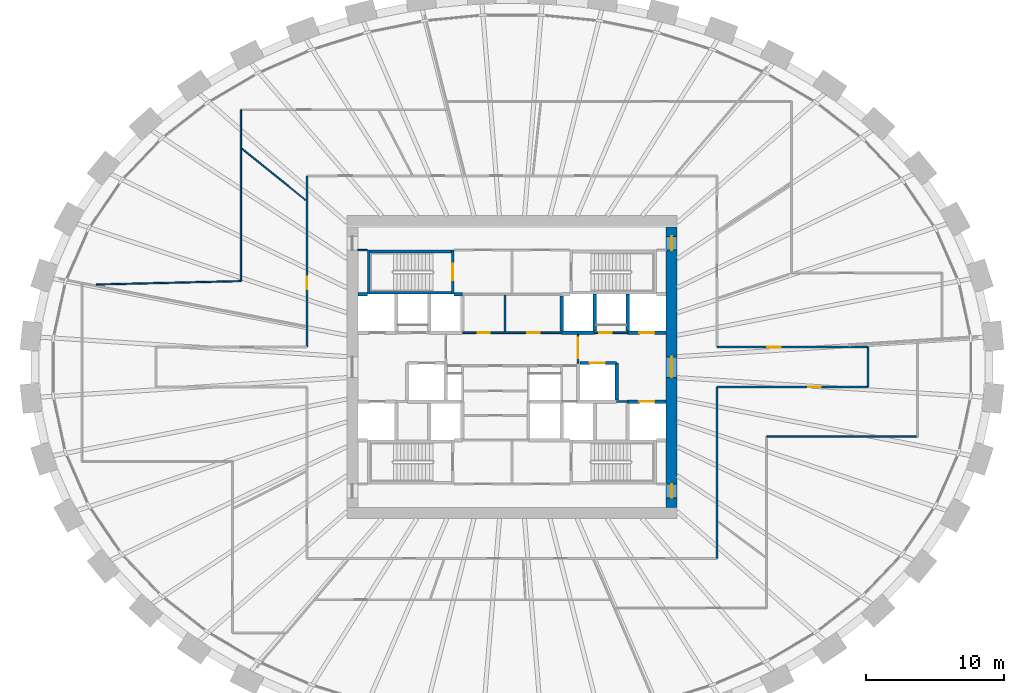
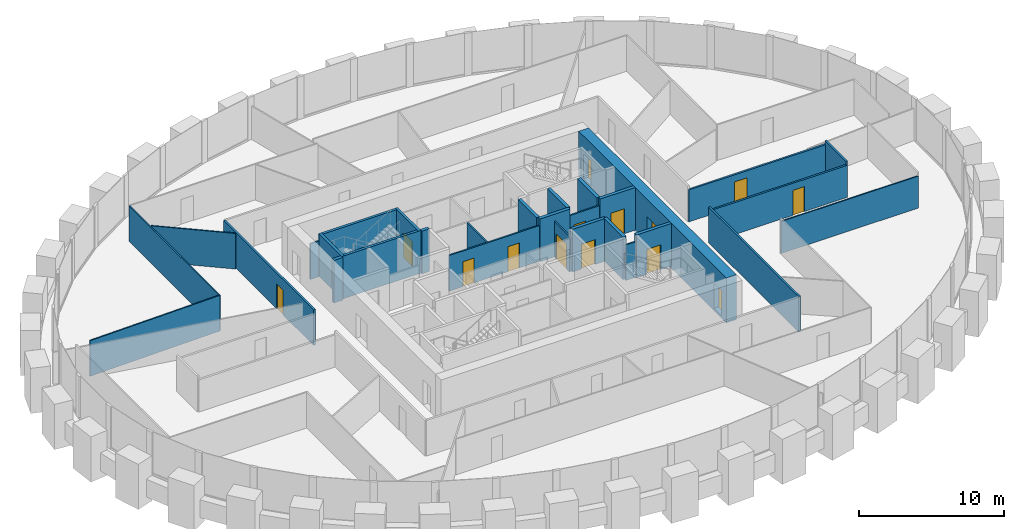
# One storey, part 8 of 11: 30 walls, 14 doors, 14 openings.
"""IFC4 building model written with IfcOpenShell, lengths in metres."""

from ifc_helpers import new_model, si_unit, direction, frame, frame_2d, origin, place, context, subcontext, project, spatial, rectangle, extrude, source, transform, mapped, material, layer, layer_set, type_object, element, fill, save


model = new_model("IFC4")

# Units and contexts
model_context = context("Model", 3, precision=1e-05, world=origin(), true_north=direction((0.0, 1.0)))
body_context = subcontext(model_context, "Body", "Model", "MODEL_VIEW")
ifc_project = project(units=[si_unit("LENGTHUNIT", "METRE"), si_unit("AREAUNIT", "SQUARE_METRE"), si_unit("VOLUMEUNIT", "CUBIC_METRE"), si_unit("PLANEANGLEUNIT", "RADIAN"), si_unit("MASSUNIT", "GRAM", prefix="KILO")], contexts=[model_context])

# Site, building, storey
site_placement = place(None, origin())
site = spatial("IfcSite", under=ifc_project, at=site_placement, CompositionType="ELEMENT")
building_placement = place(site_placement, origin())
building = spatial("IfcBuilding", under=site, at=building_placement, Name="Embergate Tower", CompositionType="ELEMENT")
storey_placement = place(building_placement, frame((0.0, 0.0, 230.699951171875)))
storey = spatial("IfcBuildingStorey", under=building, at=storey_placement, Name="L53", CompositionType="ELEMENT", Elevation=230.699951171875)

# Wall, openings, doors
ifc_material_1 = material(Name="Concrete C70", Category="concrete")
ifc_layer_1 = layer(ifc_material_1, 0.800048828125)
ifc_layer_set_1 = layer_set([ifc_layer_1], Name="Concrete C70")
wall_type_1 = type_object("IfcWallType", Name="Core outer wall C70 800", PredefinedType="SHEAR", material=ifc_layer_set_1)
shared_shape_1 = source(origin(), body_context, "Body", "SweptSolid", [
    extrude(rectangle(XDim=20.39990234375, YDim=0.800048828125, at=frame_2d((10.199951171875, 0.0))), origin(), (0.0, 0.0, 1.0), 3.800048828125),
])
wall_1_placement = place(storey_placement, frame((11.60009765625, -10.199951171875, -0.199951171875), z_axis=(0.0, 0.0, 1.0), x_axis=(0.0, 1.0, 0.0)))
wall_1 = element("IfcWall", 1, at=wall_1_placement, inside=storey, type_object=wall_type_1, Name="CW-L53-E", PredefinedType="SHEAR", context=body_context, shape_type="MappedRepresentation", body=[
    mapped(shared_shape_1, transform((0.0, 0.0, 0.0))),
])
shared_shape_2 = source(origin(), body_context, "Body", "SweptSolid", [
    extrude(rectangle(XDim=1.0, YDim=2.10009765625, at=frame_2d((0.5, 1.050048828125))), frame((0.0, 0.409912109375, 0.0), z_axis=(0.0, -1.0, 0.0), x_axis=(1.0, 0.0, 0.0)), (0.0, 0.0, 1.0), 0.820068359375),
])
opening_1_placement = place(wall_1_placement, frame((18.699951171875, 0.0, 0.199951171875)))
opening_1 = element("IfcOpeningElement", 2, at=opening_1_placement, cuts=wall_1, Name="Opening IF-1d", PredefinedType="OPENING", context=body_context, shape_type="MappedRepresentation", body=[
    mapped(shared_shape_2, transform((0.0, 0.0, 0.0))),
])
opening_2_placement = place(wall_1_placement, frame((0.699951171875, 0.0, 0.199951171875)))
opening_2 = element("IfcOpeningElement", 3, at=opening_2_placement, cuts=wall_1, Name="Opening IF-1d", PredefinedType="OPENING", context=body_context, shape_type="MappedRepresentation", body=[
    mapped(shared_shape_2, transform((0.0, 0.0, 0.0))),
])
shared_shape_3 = source(origin(), body_context, "Body", "SweptSolid", [
    extrude(rectangle(XDim=1.5, YDim=2.10009765625, at=frame_2d((0.75, 1.050048828125))), frame((0.0, 0.409912109375, 0.0), z_axis=(0.0, -1.0, 0.0), x_axis=(1.0, 0.0, 0.0)), (0.0, 0.0, 1.0), 0.820068359375),
])
opening_3_placement = place(wall_1_placement, frame((9.449951171875, 0.0, 0.199951171875)))
opening_3 = element("IfcOpeningElement", 4, at=opening_3_placement, cuts=wall_1, Name="Opening IF-3", PredefinedType="OPENING", context=body_context, shape_type="MappedRepresentation", body=[
    mapped(shared_shape_3, transform((0.0, 0.0, 0.0))),
])
ifc_material_2 = material(Name="Lobby fire door pair 1500")
door_type_1 = type_object("IfcDoorType", Name="Lobby fire door pair 1500", OperationType="DOUBLE_DOOR_SINGLE_SWING", PredefinedType="DOOR", material=ifc_material_2)
shared_shape_4 = source(origin(), body_context, "Body", "SweptSolid", [
    extrude(rectangle(XDim=1.5, YDim=2.10009765625, at=frame_2d((0.75, 1.050048828125))), frame((0.0, 0.02490234375, 0.0), z_axis=(0.0, -1.0, 0.0), x_axis=(1.0, 0.0, 0.0)), (0.0, 0.0, 1.0), 0.050048828125),
])
door_1_placement = place(opening_3_placement, origin())
door_1 = element("IfcDoor", 5, at=door_1_placement, inside=storey, type_object=door_type_1, Name="IF-3 door", OperationType="DOUBLE_DOOR_SINGLE_SWING", OverallHeight=2.10009765625, OverallWidth=1.5, PredefinedType="DOOR", context=body_context, shape_type="MappedRepresentation", body=[
    mapped(shared_shape_4, transform((0.0, 0.0, 0.0))),
])
fill(opening_3, door_1)
ifc_material_3 = material(Name="Escape fire door 1000")
door_type_2 = type_object("IfcDoorType", Name="Escape fire door 1000", OperationType="SINGLE_SWING_LEFT", PredefinedType="DOOR", material=ifc_material_3)
shared_shape_5 = source(origin(), body_context, "Body", "SweptSolid", [
    extrude(rectangle(XDim=1.0, YDim=2.10009765625, at=frame_2d((0.5, 1.050048828125))), frame((0.0, 0.02490234375, 0.0), z_axis=(0.0, -1.0, 0.0), x_axis=(1.0, 0.0, 0.0)), (0.0, 0.0, 1.0), 0.050048828125),
])
door_2_placement = place(opening_1_placement, origin())
door_2 = element("IfcDoor", 6, at=door_2_placement, inside=storey, type_object=door_type_2, Name="IF-1 door", OperationType="SINGLE_SWING_RIGHT", OverallHeight=2.10009765625, OverallWidth=1.0, PredefinedType="DOOR", context=body_context, shape_type="MappedRepresentation", body=[
    mapped(shared_shape_5, transform((0.0, 0.0, 0.0))),
])
fill(opening_1, door_2)
door_3_placement = place(opening_2_placement, origin())
door_3 = element("IfcDoor", 7, at=door_3_placement, inside=storey, type_object=door_type_2, Name="IF-1 door", OperationType="SINGLE_SWING_RIGHT", OverallHeight=2.10009765625, OverallWidth=1.0, PredefinedType="DOOR", context=body_context, shape_type="MappedRepresentation", body=[
    mapped(shared_shape_5, transform((0.0, 0.0, 0.0))),
])
fill(opening_2, door_3)

# Walls
ifc_material_4 = material(Name="Concrete C50", Category="concrete")
ifc_layer_2 = layer(ifc_material_4, 0.25)
ifc_layer_set_2 = layer_set([ifc_layer_2], Name="Concrete C50")
wall_type_2 = type_object("IfcWallType", Name="Hoistway wall reinforced concrete 250", PredefinedType="SHEAR", material=ifc_layer_set_2)
shared_shape_6 = source(origin(), body_context, "Body", "SweptSolid", [
    extrude(rectangle(XDim=2.675048828125, YDim=0.25, at=frame_2d((1.33740234375, 0.0))), origin(), (0.0, 0.0, 1.0), 3.60009765625),
])
for number, where, z_axis, x_axis, name in (
    (8, (6.0, 2.625, 0.0), (0.0, 0.0, 1.0), (0.0, 1.0, 0.0), "HW-1 wall"),
    (9, (8.39990234375, 2.625, 0.0), (0.0, 0.0, 1.0), (0.0, 1.0, 0.0), "HW-1 wall"),
):
    element("IfcWall", number, at=place(storey_placement, frame(where, z_axis=z_axis, x_axis=x_axis)), inside=storey, type_object=wall_type_2, Name=name, PredefinedType="SHEAR", context=body_context, shape_type="MappedRepresentation", body=[
        mapped(shared_shape_6, transform((0.0, 0.0, 0.0))),
    ])

# Wall, opening, door
wall_2_placement = place(storey_placement, frame((7.60009765625, 0.300048828125, 0.0), z_axis=(0.0, 0.0, 1.0), x_axis=(-1.0, 0.0, 0.0)))
wall_2 = element("IfcWall", 10, at=wall_2_placement, inside=storey, type_object=wall_type_2, Name="HW-1 wall", PredefinedType="SHEAR", context=body_context, shape_type="MappedRepresentation", body=[
    mapped(shared_shape_6, transform((0.0, 0.0, 0.0))),
])
shared_shape_7 = source(origin(), body_context, "Body", "SweptSolid", [
    extrude(rectangle(XDim=1.10009765625, YDim=2.10009765625, at=frame_2d((0.550048828125, 1.050048828125))), frame((0.0, 0.135009765625, 0.0), z_axis=(0.0, -1.0, 0.0), x_axis=(1.0, 0.0, 0.0)), (0.0, 0.0, 1.0), 0.27001953125),
])
opening_4_placement = place(wall_2_placement, frame((0.85009765625, 0.0, 0.0)))
opening_4 = element("IfcOpeningElement", 11, at=opening_4_placement, cuts=wall_2, Name="Opening LD", PredefinedType="OPENING", context=body_context, shape_type="MappedRepresentation", body=[
    mapped(shared_shape_7, transform((0.0, 0.0, 0.0))),
])
ifc_material_5 = material(Name="Landing door sliding 1100")
door_type_3 = type_object("IfcDoorType", Name="Landing door sliding 1100", OperationType="SLIDING_TO_LEFT", PredefinedType="DOOR", material=ifc_material_5)
shared_shape_8 = source(origin(), body_context, "Body", "SweptSolid", [
    extrude(rectangle(XDim=1.10009765625, YDim=2.10009765625, at=frame_2d((0.550048828125, 1.050048828125))), frame((0.0, 0.02490234375, 0.0), z_axis=(0.0, -1.0, 0.0), x_axis=(1.0, 0.0, 0.0)), (0.0, 0.0, 1.0), 0.050048828125),
])
door_4_placement = place(opening_4_placement, origin())
door_4 = element("IfcDoor", 12, at=door_4_placement, inside=storey, type_object=door_type_3, Name="LD door", OperationType="SLIDING_TO_LEFT", OverallHeight=2.10009765625, OverallWidth=1.10009765625, PredefinedType="DOOR", context=body_context, shape_type="MappedRepresentation", body=[
    mapped(shared_shape_8, transform((0.0, 0.0, 0.0))),
])
fill(opening_4, door_4)

# Walls
wall_3_placement = place(storey_placement, frame((7.60009765625, -2.375, 0.0), z_axis=(0.0, 0.0, 1.0), x_axis=(0.0, 1.0, 0.0)))
element("IfcWall", 13, at=wall_3_placement, inside=storey, type_object=wall_type_2, Name="HW-1 wall", PredefinedType="SHEAR", context=body_context, shape_type="MappedRepresentation", body=[
    mapped(shared_shape_6, transform((0.0, 0.0, 0.0))),
])
ifc_layer_3 = layer(ifc_material_4, 0.199951171875)
ifc_layer_set_3 = layer_set([ifc_layer_3], Name="Concrete C50")
wall_type_3 = type_object("IfcWallType", Name="Stair enclosure wall reinforced concrete 250", PredefinedType="SHEAR", material=ifc_layer_set_3)
shared_shape_9 = source(origin(), body_context, "Body", "SweptSolid", [
    extrude(rectangle(XDim=6.300048828125, YDim=0.199951171875, at=frame_2d((3.14990234375, 0.0))), origin(), (0.0, 0.0, 1.0), 3.60009765625),
])
for number, where, z_axis, x_axis, name in (
    (14, (-4.199951171875, 5.39990234375, 0.0), (0.0, 0.0, 1.0), (-1.0, 0.0, 0.0), "SE-1 wall"),
    (15, (-4.199951171875, 8.39990234375, 0.0), (0.0, 0.0, 1.0), (-1.0, 0.0, 0.0), "SE-1 wall"),
):
    element("IfcWall", number, at=place(storey_placement, frame(where, z_axis=z_axis, x_axis=x_axis)), inside=storey, type_object=wall_type_3, Name=name, PredefinedType="SHEAR", context=body_context, shape_type="MappedRepresentation", body=[
        mapped(shared_shape_9, transform((0.0, 0.0, 0.0))),
    ])
shared_shape_10 = source(origin(), body_context, "Body", "SweptSolid", [
    extrude(rectangle(XDim=2.550048828125, YDim=0.25, at=frame_2d((1.27490234375, 0.0))), origin(), (0.0, 0.0, 1.0), 3.60009765625),
])
wall_4_placement = place(storey_placement, frame((3.60009765625, 5.175048828125, 0.0), z_axis=(0.0, 0.0, 1.0), x_axis=(0.0, -1.0, 0.0)))
element("IfcWall", 16, at=wall_4_placement, inside=storey, type_object=wall_type_2, Name="HW-1 wall", PredefinedType="SHEAR", context=body_context, shape_type="MappedRepresentation", body=[
    mapped(shared_shape_10, transform((0.0, 0.0, 0.0))),
])

# Wall, opening, door
ifc_material_6 = material(Name="Core partition blockwork 120")
ifc_layer_4 = layer(ifc_material_6, 0.1201171875)
ifc_layer_set_4 = layer_set([ifc_layer_4], Name="Core partition blockwork 120")
wall_type_4 = type_object("IfcWallType", Name="Core partition blockwork 120", PredefinedType="PARTITIONING", material=ifc_layer_set_4)
shared_shape_11 = source(origin(), body_context, "Body", "SweptSolid", [
    extrude(rectangle(XDim=2.074951171875, YDim=0.1201171875, at=frame_2d((1.03759765625, 0.0))), origin(), (0.0, 0.0, 1.0), 3.0),
])
wall_5_placement = place(storey_placement, frame((4.800048828125, 0.300048828125, 0.0), z_axis=(0.0, 0.0, 1.0), x_axis=(0.0, 1.0, 0.0)))
wall_5 = element("IfcWall", 17, at=wall_5_placement, inside=storey, type_object=wall_type_4, Name="IP-3 wall", PredefinedType="PARTITIONING", context=body_context, shape_type="MappedRepresentation", body=[
    mapped(shared_shape_11, transform((0.0, 0.0, 0.0))),
])
shared_shape_12 = source(origin(), body_context, "Body", "SweptSolid", [
    extrude(rectangle(XDim=1.5, YDim=2.10009765625, at=frame_2d((0.75, 1.050048828125))), frame((0.0, 0.070068359375, 0.0), z_axis=(0.0, -1.0, 0.0), x_axis=(1.0, 0.0, 0.0)), (0.0, 0.0, 1.0), 0.14013671875),
])
opening_5_placement = place(wall_5_placement, frame((0.35009765625, 0.0, 0.0)))
opening_5 = element("IfcOpeningElement", 18, at=opening_5_placement, cuts=wall_5, Name="Opening IF-3", PredefinedType="OPENING", context=body_context, shape_type="MappedRepresentation", body=[
    mapped(shared_shape_12, transform((0.0, 0.0, 0.0))),
])
door_5_placement = place(opening_5_placement, origin())
door_5 = element("IfcDoor", 19, at=door_5_placement, inside=storey, type_object=door_type_1, Name="IF-3 door", OperationType="DOUBLE_DOOR_SINGLE_SWING", OverallHeight=2.10009765625, OverallWidth=1.5, PredefinedType="DOOR", context=body_context, shape_type="MappedRepresentation", body=[
    mapped(shared_shape_4, transform((0.0, 0.0, 0.0))),
])
fill(opening_5, door_5)

shared_shape_13 = source(origin(), body_context, "Body", "SweptSolid", [
    extrude(rectangle(XDim=3.199951171875, YDim=0.199951171875, at=frame_2d((1.60009765625, 0.0))), origin(), (0.0, 0.0, 1.0), 3.60009765625),
])
wall_6_placement = place(storey_placement, frame((-4.300048828125, 5.300048828125, 0.0), z_axis=(0.0, 0.0, 1.0), x_axis=(0.0, 1.0, 0.0)))
wall_6 = element("IfcWall", 20, at=wall_6_placement, inside=storey, type_object=wall_type_3, Name="SE-1 wall", PredefinedType="SHEAR", context=body_context, shape_type="MappedRepresentation", body=[
    mapped(shared_shape_13, transform((0.0, 0.0, 0.0))),
])
shared_shape_14 = source(origin(), body_context, "Body", "SweptSolid", [
    extrude(rectangle(XDim=1.199951171875, YDim=2.10009765625, at=frame_2d((0.60009765625, 1.050048828125))), frame((0.0, 0.10986328125, 0.0), z_axis=(0.0, -1.0, 0.0), x_axis=(1.0, 0.0, 0.0)), (0.0, 0.0, 1.0), 0.219970703125),
])
opening_6_placement = place(wall_6_placement, frame((1.0, 0.0, 0.0)))
opening_6 = element("IfcOpeningElement", 21, at=opening_6_placement, cuts=wall_6, Name="Opening IF-2", PredefinedType="OPENING", context=body_context, shape_type="MappedRepresentation", body=[
    mapped(shared_shape_14, transform((0.0, 0.0, 0.0))),
])
ifc_material_7 = material(Name="Stair enclosure door 1200")
door_type_4 = type_object("IfcDoorType", Name="Stair enclosure door 1200", OperationType="SINGLE_SWING_LEFT", PredefinedType="DOOR", material=ifc_material_7)
shared_shape_15 = source(origin(), body_context, "Body", "SweptSolid", [
    extrude(rectangle(XDim=1.199951171875, YDim=2.10009765625, at=frame_2d((0.60009765625, 1.050048828125))), frame((0.0, 0.02490234375, 0.0), z_axis=(0.0, -1.0, 0.0), x_axis=(1.0, 0.0, 0.0)), (0.0, 0.0, 1.0), 0.050048828125),
])
door_6_placement = place(opening_6_placement, origin())
door_6 = element("IfcDoor", 22, at=door_6_placement, inside=storey, type_object=door_type_4, Name="IF-2 door", OperationType="SINGLE_SWING_LEFT", OverallHeight=2.10009765625, OverallWidth=1.199951171875, PredefinedType="DOOR", context=body_context, shape_type="MappedRepresentation", body=[
    mapped(shared_shape_15, transform((0.0, 0.0, 0.0))),
])
fill(opening_6, door_6)

# Walls
shared_shape_16 = source(origin(), body_context, "Body", "SweptSolid", [
    extrude(rectangle(XDim=2.39990234375, YDim=0.25, at=frame_2d((1.199951171875, 0.0))), origin(), (0.0, 0.0, 1.0), 3.60009765625),
])
wall_7_placement = place(storey_placement, frame((3.60009765625, 2.5, 0.0), z_axis=(0.0, 0.0, 1.0), x_axis=(1.0, 0.0, 0.0)))
element("IfcWall", 23, at=wall_7_placement, inside=storey, type_object=wall_type_2, Name="HW-1 wall", PredefinedType="SHEAR", context=body_context, shape_type="MappedRepresentation", body=[
    mapped(shared_shape_16, transform((0.0, 0.0, 0.0))),
])
shared_shape_17 = source(origin(), body_context, "Body", "SweptSolid", [
    extrude(rectangle(XDim=2.679931640625, YDim=0.1201171875, at=frame_2d((1.33984375, 0.0))), origin(), (0.0, 0.0, 1.0), 3.0),
])
wall_8_placement = place(storey_placement, frame((-0.50390625, 2.56005859375, 0.0), z_axis=(0.0, 0.0, 1.0), x_axis=(0.0, 1.0, 0.0)))
element("IfcWall", 24, at=wall_8_placement, inside=storey, type_object=wall_type_4, Name="IP-3 wall", PredefinedType="PARTITIONING", context=body_context, shape_type="MappedRepresentation", body=[
    mapped(shared_shape_17, transform((0.0, 0.0, 0.0))),
])

# Wall, opening, door
shared_shape_18 = source(origin(), body_context, "Body", "SweptSolid", [
    extrude(rectangle(XDim=2.800048828125, YDim=0.25, at=frame_2d((1.39990234375, 0.0))), origin(), (0.0, 0.0, 1.0), 3.60009765625),
])
wall_9_placement = place(storey_placement, frame((8.39990234375, 2.5, 0.0), z_axis=(0.0, 0.0, 1.0), x_axis=(1.0, 0.0, 0.0)))
wall_9 = element("IfcWall", 25, at=wall_9_placement, inside=storey, type_object=wall_type_2, Name="HW-1 wall", PredefinedType="SHEAR", context=body_context, shape_type="MappedRepresentation", body=[
    mapped(shared_shape_18, transform((0.0, 0.0, 0.0))),
])
opening_7_placement = place(wall_9_placement, frame((0.85009765625, 0.0, 0.0)))
opening_7 = element("IfcOpeningElement", 26, at=opening_7_placement, cuts=wall_9, Name="Opening LD", PredefinedType="OPENING", context=body_context, shape_type="MappedRepresentation", body=[
    mapped(shared_shape_7, transform((0.0, 0.0, 0.0))),
])
door_7_placement = place(opening_7_placement, origin())
door_7 = element("IfcDoor", 27, at=door_7_placement, inside=storey, type_object=door_type_3, Name="LD door", OperationType="SLIDING_TO_RIGHT", OverallHeight=2.10009765625, OverallWidth=1.10009765625, PredefinedType="DOOR", context=body_context, shape_type="MappedRepresentation", body=[
    mapped(shared_shape_8, transform((0.0, 0.0, 0.0))),
])
fill(opening_7, door_7)

wall_10_placement = place(storey_placement, frame((11.199951171875, -2.5, 0.0), z_axis=(0.0, 0.0, 1.0), x_axis=(-1.0, 0.0, 0.0)))
wall_10 = element("IfcWall", 28, at=wall_10_placement, inside=storey, type_object=wall_type_2, Name="HW-1 wall", PredefinedType="SHEAR", context=body_context, shape_type="MappedRepresentation", body=[
    mapped(shared_shape_18, transform((0.0, 0.0, 0.0))),
])
opening_8_placement = place(wall_10_placement, frame((0.85009765625, 0.0, 0.0)))
opening_8 = element("IfcOpeningElement", 29, at=opening_8_placement, cuts=wall_10, Name="Opening LD", PredefinedType="OPENING", context=body_context, shape_type="MappedRepresentation", body=[
    mapped(shared_shape_7, transform((0.0, 0.0, 0.0))),
])
door_8_placement = place(opening_8_placement, origin())
door_8 = element("IfcDoor", 30, at=door_8_placement, inside=storey, type_object=door_type_3, Name="LD door", OperationType="SLIDING_TO_RIGHT", OverallHeight=2.10009765625, OverallWidth=1.10009765625, PredefinedType="DOOR", context=body_context, shape_type="MappedRepresentation", body=[
    mapped(shared_shape_8, transform((0.0, 0.0, 0.0))),
])
fill(opening_8, door_8)

shared_shape_19 = source(origin(), body_context, "Body", "SweptSolid", [
    extrude(rectangle(XDim=2.39990234375, YDim=0.1201171875, at=frame_2d((1.199951171875, 0.0))), origin(), (0.0, 0.0, 1.0), 3.0),
])
wall_11_placement = place(storey_placement, frame((6.0, 2.5, 0.0), z_axis=(0.0, 0.0, 1.0), x_axis=(1.0, 0.0, 0.0)))
wall_11 = element("IfcWall", 31, at=wall_11_placement, inside=storey, type_object=wall_type_4, Name="IP-3 wall", PredefinedType="PARTITIONING", context=body_context, shape_type="MappedRepresentation", body=[
    mapped(shared_shape_19, transform((0.0, 0.0, 0.0))),
])
shared_shape_20 = source(origin(), body_context, "Body", "SweptSolid", [
    extrude(rectangle(XDim=0.89990234375, YDim=2.10009765625, at=frame_2d((0.449951171875, 1.050048828125))), frame((0.0, 0.070068359375, 0.0), z_axis=(0.0, -1.0, 0.0), x_axis=(1.0, 0.0, 0.0)), (0.0, 0.0, 1.0), 0.14013671875),
])
opening_9_placement = place(wall_11_placement, frame((0.35009765625, 0.0, 0.0)))
opening_9 = element("IfcOpeningElement", 32, at=opening_9_placement, cuts=wall_11, Name="Opening ID-1", PredefinedType="OPENING", context=body_context, shape_type="MappedRepresentation", body=[
    mapped(shared_shape_20, transform((0.0, 0.0, 0.0))),
])
ifc_material_8 = material(Name="Interior door 900")
door_type_5 = type_object("IfcDoorType", Name="Interior door 900", OperationType="SINGLE_SWING_LEFT", PredefinedType="DOOR", material=ifc_material_8)
shared_shape_21 = source(origin(), body_context, "Body", "SweptSolid", [
    extrude(rectangle(XDim=0.89990234375, YDim=2.10009765625, at=frame_2d((0.449951171875, 1.050048828125))), frame((0.0, 0.02490234375, 0.0), z_axis=(0.0, -1.0, 0.0), x_axis=(1.0, 0.0, 0.0)), (0.0, 0.0, 1.0), 0.050048828125),
])
door_9_placement = place(opening_9_placement, origin())
door_9 = element("IfcDoor", 33, at=door_9_placement, inside=storey, type_object=door_type_5, Name="ID-1 door", OperationType="SINGLE_SWING_LEFT", OverallHeight=2.10009765625, OverallWidth=0.89990234375, PredefinedType="DOOR", context=body_context, shape_type="MappedRepresentation", body=[
    mapped(shared_shape_21, transform((0.0, 0.0, 0.0))),
])
fill(opening_9, door_9)

# Wall
shared_shape_22 = source(origin(), body_context, "Body", "SweptSolid", [
    extrude(rectangle(XDim=0.599853515625, YDim=0.25, at=frame_2d((0.2998046875, 0.0))), origin(), (0.0, 0.0, 1.0), 3.60009765625),
])
wall_12_placement = place(storey_placement, frame((-3.60009765625, 5.300048828125, 0.0), z_axis=(0.0, 0.0, 1.0), x_axis=(-1.0, 0.0, 0.0)))
element("IfcWall", 34, at=wall_12_placement, inside=storey, type_object=wall_type_2, Name="HW-1 wall", PredefinedType="SHEAR", context=body_context, shape_type="MappedRepresentation", body=[
    mapped(shared_shape_22, transform((0.0, 0.0, 0.0))),
])

# Wall, openings, doors
shared_shape_23 = source(origin(), body_context, "Body", "SweptSolid", [
    extrude(rectangle(XDim=7.2001953125, YDim=0.1201171875, at=frame_2d((3.60009765625, 0.0))), origin(), (0.0, 0.0, 1.0), 3.0),
])
wall_13_placement = place(storey_placement, frame((3.60009765625, 2.5, 0.0), z_axis=(0.0, 0.0, 1.0), x_axis=(-1.0, 0.0, 0.0)))
wall_13 = element("IfcWall", 35, at=wall_13_placement, inside=storey, type_object=wall_type_4, Name="IP-3 wall", PredefinedType="PARTITIONING", context=body_context, shape_type="MappedRepresentation", body=[
    mapped(shared_shape_23, transform((0.0, 0.0, 0.0))),
])
opening_10_placement = place(wall_13_placement, frame((5.201904296875, 0.0, 0.0)))
opening_10 = element("IfcOpeningElement", 36, at=opening_10_placement, cuts=wall_13, Name="Opening ID-1", PredefinedType="OPENING", context=body_context, shape_type="MappedRepresentation", body=[
    mapped(shared_shape_20, transform((0.0, 0.0, 0.0))),
])
opening_11_placement = place(wall_13_placement, frame((1.60205078125, 0.0, 0.0)))
opening_11 = element("IfcOpeningElement", 37, at=opening_11_placement, cuts=wall_13, Name="Opening ID-1", PredefinedType="OPENING", context=body_context, shape_type="MappedRepresentation", body=[
    mapped(shared_shape_20, transform((0.0, 0.0, 0.0))),
])
door_10_placement = place(opening_10_placement, origin())
door_10 = element("IfcDoor", 38, at=door_10_placement, inside=storey, type_object=door_type_5, Name="ID-1 door", OperationType="SINGLE_SWING_LEFT", OverallHeight=2.10009765625, OverallWidth=0.89990234375, PredefinedType="DOOR", context=body_context, shape_type="MappedRepresentation", body=[
    mapped(shared_shape_21, transform((0.0, 0.0, 0.0))),
])
fill(opening_10, door_10)
door_11_placement = place(opening_11_placement, origin())
door_11 = element("IfcDoor", 39, at=door_11_placement, inside=storey, type_object=door_type_5, Name="ID-1 door", OperationType="SINGLE_SWING_RIGHT", OverallHeight=2.10009765625, OverallWidth=0.89990234375, PredefinedType="DOOR", context=body_context, shape_type="MappedRepresentation", body=[
    mapped(shared_shape_21, transform((0.0, 0.0, 0.0))),
])
fill(opening_11, door_11)

# Walls
shared_shape_24 = source(origin(), body_context, "Body", "SweptSolid", [
    extrude(rectangle(XDim=3.196044921875, YDim=0.199951171875, at=frame_2d((1.59814453125, 0.0))), origin(), (0.0, 0.0, 1.0), 3.60009765625),
])
wall_14_placement = place(storey_placement, frame((-10.39990234375, 8.498046875, 0.0), z_axis=(0.0, 0.0, 1.0), x_axis=(0.0, -1.0, 0.0)))
element("IfcWall", 40, at=wall_14_placement, inside=storey, type_object=wall_type_3, Name="SE-1 wall", PredefinedType="SHEAR", context=body_context, shape_type="MappedRepresentation", body=[
    mapped(shared_shape_24, transform((0.0, 0.0, 0.0))),
])
shared_shape_25 = source(origin(), body_context, "Body", "SweptSolid", [
    extrude(rectangle(XDim=0.697998046875, YDim=0.25, at=frame_2d((0.34912109375, 0.0))), origin(), (0.0, 0.0, 1.0), 3.60009765625),
])
wall_15_placement = place(storey_placement, frame((-10.501953125, 5.300048828125, 0.0), z_axis=(0.0, 0.0, 1.0), x_axis=(-1.0, 0.0, 0.0)))
element("IfcWall", 41, at=wall_15_placement, inside=storey, type_object=wall_type_2, Name="HW-1 wall", PredefinedType="SHEAR", context=body_context, shape_type="MappedRepresentation", body=[
    mapped(shared_shape_25, transform((0.0, 0.0, 0.0))),
])
shared_shape_26 = source(origin(), body_context, "Body", "SweptSolid", [
    extrude(rectangle(XDim=0.7958984375, YDim=0.1201171875, at=frame_2d((0.39794921875, 0.0))), origin(), (0.0, 0.0, 1.0), 3.0),
])
wall_16_placement = place(storey_placement, frame((7.60205078125, -2.5, 0.0), z_axis=(0.0, 0.0, 1.0), x_axis=(1.0, 0.0, 0.0)))
element("IfcWall", 42, at=wall_16_placement, inside=storey, type_object=wall_type_4, Name="IP-3 wall", PredefinedType="PARTITIONING", context=body_context, shape_type="MappedRepresentation", body=[
    mapped(shared_shape_26, transform((0.0, 0.0, 0.0))),
])
shared_shape_27 = source(origin(), body_context, "Body", "SweptSolid", [
    extrude(rectangle(XDim=0.697998046875, YDim=0.1201171875, at=frame_2d((0.34912109375, 0.0))), origin(), (0.0, 0.0, 1.0), 3.0),
])
wall_17_placement = place(storey_placement, frame((-11.199951171875, 8.5, 0.0), z_axis=(0.0, 0.0, 1.0), x_axis=(1.0, 0.0, 0.0)))
element("IfcWall", 43, at=wall_17_placement, inside=storey, type_object=wall_type_4, Name="IP-3 wall", PredefinedType="PARTITIONING", context=body_context, shape_type="MappedRepresentation", body=[
    mapped(shared_shape_27, transform((0.0, 0.0, 0.0))),
])
ifc_material_9 = material(Name="Corridor wall dry-lined 150")
ifc_layer_5 = layer(ifc_material_9, 0.14990234375)
ifc_layer_set_5 = layer_set([ifc_layer_5], Name="Corridor wall dry-lined 150")
wall_type_5 = type_object("IfcWallType", Name="Corridor wall dry-lined 150", PredefinedType="PARTITIONING", material=ifc_layer_set_5)
shared_shape_28 = source(origin(), body_context, "Body", "SweptSolid", [
    extrude(rectangle(XDim=12.449951171875, YDim=0.14990234375, at=frame_2d((6.22509765625, 0.0))), origin(), (0.0, 0.0, 1.0), 3.0),
])
wall_18_placement = place(storey_placement, frame((14.89990234375, -1.449951171875, 0.0), z_axis=(0.0, 0.0, 1.0), x_axis=(0.0, -1.0, 0.0)))
element("IfcWall", 44, at=wall_18_placement, inside=storey, type_object=wall_type_5, Name="IP-2 wall", PredefinedType="PARTITIONING", context=body_context, shape_type="MappedRepresentation", body=[
    mapped(shared_shape_28, transform((0.0, 0.0, 0.0))),
])

# Wall, opening, door
wall_19_placement = place(storey_placement, frame((-14.89990234375, 1.449951171875, 0.0), z_axis=(0.0, 0.0, 1.0), x_axis=(0.0, 1.0, 0.0)))
wall_19 = element("IfcWall", 45, at=wall_19_placement, inside=storey, type_object=wall_type_5, Name="IP-2 wall", PredefinedType="PARTITIONING", context=body_context, shape_type="MappedRepresentation", body=[
    mapped(shared_shape_28, transform((0.0, 0.0, 0.0))),
])
shared_shape_29 = source(origin(), body_context, "Body", "SweptSolid", [
    extrude(rectangle(XDim=0.89990234375, YDim=2.10009765625, at=frame_2d((0.449951171875, 1.050048828125))), frame((0.0, 0.0849609375, 0.0), z_axis=(0.0, -1.0, 0.0), x_axis=(1.0, 0.0, 0.0)), (0.0, 0.0, 1.0), 0.169921875),
])
opening_12_placement = place(wall_19_placement, frame((4.2099609375, 0.0, 0.0)))
opening_12 = element("IfcOpeningElement", 46, at=opening_12_placement, cuts=wall_19, Name="Opening IF-1c", PredefinedType="OPENING", context=body_context, shape_type="MappedRepresentation", body=[
    mapped(shared_shape_29, transform((0.0, 0.0, 0.0))),
])
ifc_material_10 = material(Name="Escape fire door 900")
door_type_6 = type_object("IfcDoorType", Name="Escape fire door 900", OperationType="SINGLE_SWING_LEFT", PredefinedType="DOOR", material=ifc_material_10)
door_12_placement = place(opening_12_placement, origin())
door_12 = element("IfcDoor", 47, at=door_12_placement, inside=storey, type_object=door_type_6, Name="IF-1 door", OperationType="SINGLE_SWING_LEFT", OverallHeight=2.10009765625, OverallWidth=0.89990234375, PredefinedType="DOOR", context=body_context, shape_type="MappedRepresentation", body=[
    mapped(shared_shape_21, transform((0.0, 0.0, 0.0))),
])
fill(opening_12, door_12)

shared_shape_30 = source(origin(), body_context, "Body", "SweptSolid", [
    extrude(rectangle(XDim=10.9501953125, YDim=0.14990234375, at=frame_2d((5.47509765625, 0.0))), origin(), (0.0, 0.0, 1.0), 2.699951171875),
])
wall_20_placement = place(storey_placement, frame((14.89990234375, -1.449951171875, 0.0), z_axis=(0.0, 0.0, 1.0), x_axis=(1.0, 0.0, 0.0)))
wall_20 = element("IfcWall", 48, at=wall_20_placement, inside=storey, type_object=wall_type_5, Name="IP-2 wall", PredefinedType="PARTITIONING", context=body_context, shape_type="MappedRepresentation", body=[
    mapped(shared_shape_30, transform((0.0, 0.0, 0.0))),
])
opening_13_placement = place(wall_20_placement, frame((6.632080078125, 0.0, 0.0)))
opening_13 = element("IfcOpeningElement", 49, at=opening_13_placement, cuts=wall_20, Name="Opening IF-1c", PredefinedType="OPENING", context=body_context, shape_type="MappedRepresentation", body=[
    mapped(shared_shape_29, transform((0.0, 0.0, 0.0))),
])
door_13_placement = place(opening_13_placement, origin())
door_13 = element("IfcDoor", 50, at=door_13_placement, inside=storey, type_object=door_type_6, Name="IF-1 door", OperationType="SINGLE_SWING_LEFT", OverallHeight=2.10009765625, OverallWidth=0.89990234375, PredefinedType="DOOR", context=body_context, shape_type="MappedRepresentation", body=[
    mapped(shared_shape_21, transform((0.0, 0.0, 0.0))),
])
fill(opening_13, door_13)

wall_21_placement = place(storey_placement, frame((25.85009765625, 1.449951171875, 0.0), z_axis=(0.0, 0.0, 1.0), x_axis=(-1.0, 0.0, 0.0)))
wall_21 = element("IfcWall", 51, at=wall_21_placement, inside=storey, type_object=wall_type_5, Name="IP-2 wall", PredefinedType="PARTITIONING", context=body_context, shape_type="MappedRepresentation", body=[
    mapped(shared_shape_30, transform((0.0, 0.0, 0.0))),
])
shared_shape_31 = source(origin(), body_context, "Body", "SweptSolid", [
    extrude(rectangle(XDim=1.0, YDim=2.10009765625, at=frame_2d((0.5, 1.050048828125))), frame((0.0, 0.0849609375, 0.0), z_axis=(0.0, -1.0, 0.0), x_axis=(1.0, 0.0, 0.0)), (0.0, 0.0, 1.0), 0.169921875),
])
opening_14_placement = place(wall_21_placement, frame((6.30810546875, 0.0, 0.0)))
opening_14 = element("IfcOpeningElement", 52, at=opening_14_placement, cuts=wall_21, Name="Opening ID-2", PredefinedType="OPENING", context=body_context, shape_type="MappedRepresentation", body=[
    mapped(shared_shape_31, transform((0.0, 0.0, 0.0))),
])
ifc_material_11 = material(Name="Interior door 1000")
door_type_7 = type_object("IfcDoorType", Name="Interior door 1000", OperationType="SINGLE_SWING_LEFT", PredefinedType="DOOR", material=ifc_material_11)
door_14_placement = place(opening_14_placement, origin())
door_14 = element("IfcDoor", 53, at=door_14_placement, inside=storey, type_object=door_type_7, Name="ID-2 door", OperationType="SINGLE_SWING_RIGHT", OverallHeight=2.10009765625, OverallWidth=1.0, PredefinedType="DOOR", context=body_context, shape_type="MappedRepresentation", body=[
    mapped(shared_shape_5, transform((0.0, 0.0, 0.0))),
])
fill(opening_14, door_14)

# Walls
shared_shape_32 = source(origin(), body_context, "Body", "SweptSolid", [
    extrude(rectangle(XDim=2.89990234375, YDim=0.14990234375, at=frame_2d((1.449951171875, 0.0))), origin(), (0.0, 0.0, 1.0), 3.0),
])
wall_22_placement = place(storey_placement, frame((25.85009765625, -1.449951171875, 0.0), z_axis=(0.0, 0.0, 1.0), x_axis=(0.0, 1.0, 0.0)))
element("IfcWall", 54, at=wall_22_placement, inside=storey, type_object=wall_type_5, Name="IP-2 wall", PredefinedType="PARTITIONING", context=body_context, shape_type="MappedRepresentation", body=[
    mapped(shared_shape_32, transform((0.0, 0.0, 0.0))),
])
ifc_material_12 = material(Name="Partition dry-lined 100")
ifc_layer_6 = layer(ifc_material_12, 0.10009765625)
ifc_layer_set_6 = layer_set([ifc_layer_6], Name="Partition dry-lined 100")
wall_type_6 = type_object("IfcWallType", Name="Partition dry-lined 100", PredefinedType="PARTITIONING", material=ifc_layer_set_6)
shared_shape_33 = source(origin(), body_context, "Body", "SweptSolid", [
    extrude(rectangle(XDim=12.449951171875, YDim=0.10009765625, at=frame_2d((6.22509765625, 0.0))), origin(), (0.0, 0.0, 1.0), 3.0),
])
wall_23_placement = place(storey_placement, frame((-19.699951171875, 6.25, 0.0), z_axis=(0.0, 0.0, 1.0), x_axis=(0.0, 1.0, 0.0)))
element("IfcWall", 55, at=wall_23_placement, inside=storey, type_object=wall_type_6, Name="IP-1 wall", PredefinedType="PARTITIONING", context=body_context, shape_type="MappedRepresentation", body=[
    mapped(shared_shape_33, transform((0.0, 0.0, 0.0))),
])
shared_shape_34 = source(origin(), body_context, "Body", "SweptSolid", [
    extrude(rectangle(XDim=10.949951171875, YDim=0.10009765625, at=frame_2d((5.47509765625, 0.0))), origin(), (0.0, 0.0, 1.0), 2.699951171875),
])
wall_24_placement = place(storey_placement, frame((18.5, -5.050048828125, 0.0), z_axis=(0.0, 0.0, 1.0), x_axis=(1.0, 0.0, 0.0)))
element("IfcWall", 56, at=wall_24_placement, inside=storey, type_object=wall_type_6, Name="IP-1 wall", PredefinedType="PARTITIONING", context=body_context, shape_type="MappedRepresentation", body=[
    mapped(shared_shape_34, transform((0.0, 0.0, 0.0))),
])
shared_shape_35 = source(origin(), body_context, "Body", "SweptSolid", [
    extrude(rectangle(XDim=5.933349609375, YDim=0.10009765625, at=frame_2d((2.966796875, 0.0))), origin(), (0.0, 0.0, 1.0), 3.0),
])
wall_25_placement = place(storey_placement, frame((-15.007080078125, 12.14599609375, 0.0), z_axis=(0.0, 0.0, 1.0), x_axis=(-0.777283198785, 0.629150879271, 0.0)))
element("IfcWall", 57, at=wall_25_placement, inside=storey, type_object=wall_type_6, Name="IP-1 wall", PredefinedType="PARTITIONING", context=body_context, shape_type="MappedRepresentation", body=[
    mapped(shared_shape_35, transform((0.0, 0.0, 0.0))),
])
shared_shape_36 = source(origin(), body_context, "Body", "SweptSolid", [
    extrude(rectangle(XDim=10.492919921875, YDim=0.10009765625, at=frame_2d((5.24658203125, 0.0))), origin(), (0.0, 0.0, 1.0), 3.0),
])
wall_26_placement = place(storey_placement, frame((-30.18994140625, 6.0029296875, 0.0), z_axis=(0.0, 0.0, 1.0), x_axis=(0.999722744404, 0.023546429058, 0.0)))
element("IfcWall", 58, at=wall_26_placement, inside=storey, type_object=wall_type_6, Name="IP-1 wall", PredefinedType="PARTITIONING", context=body_context, shape_type="MappedRepresentation", body=[
    mapped(shared_shape_36, transform((0.0, 0.0, 0.0))),
])

save(model, "model.ifc")
